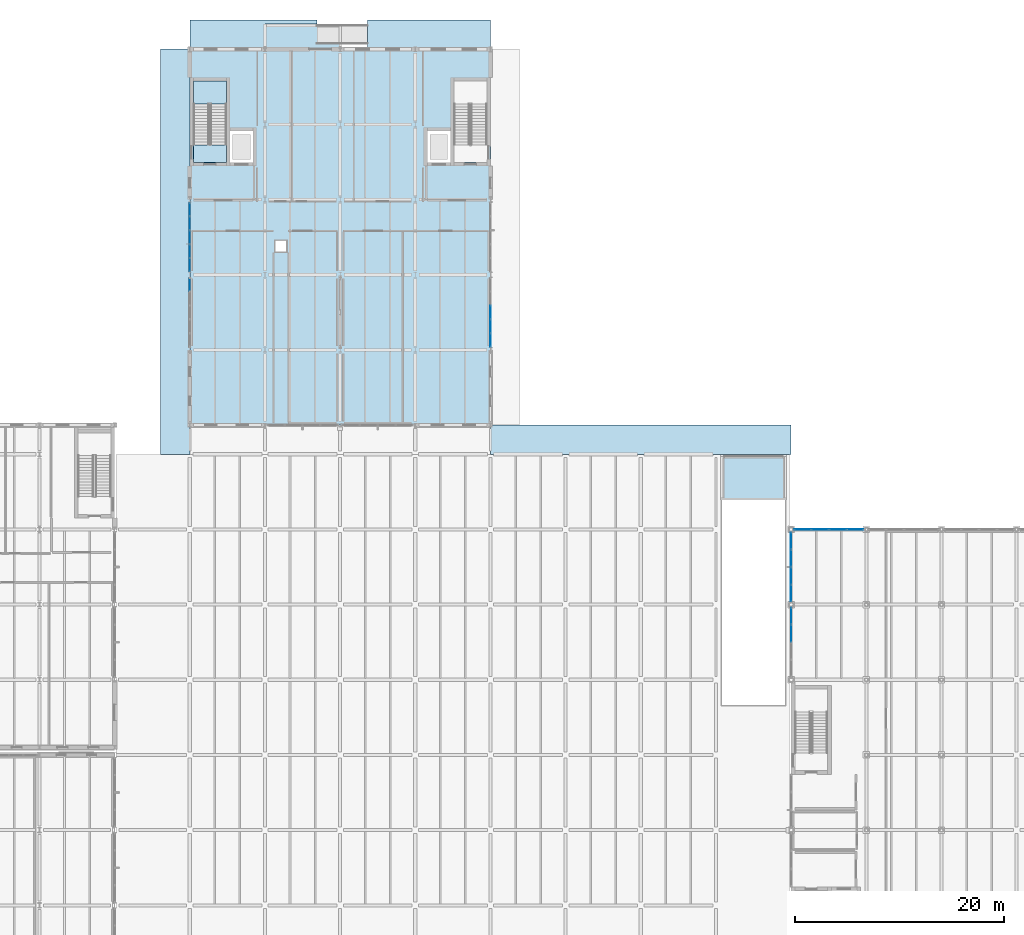
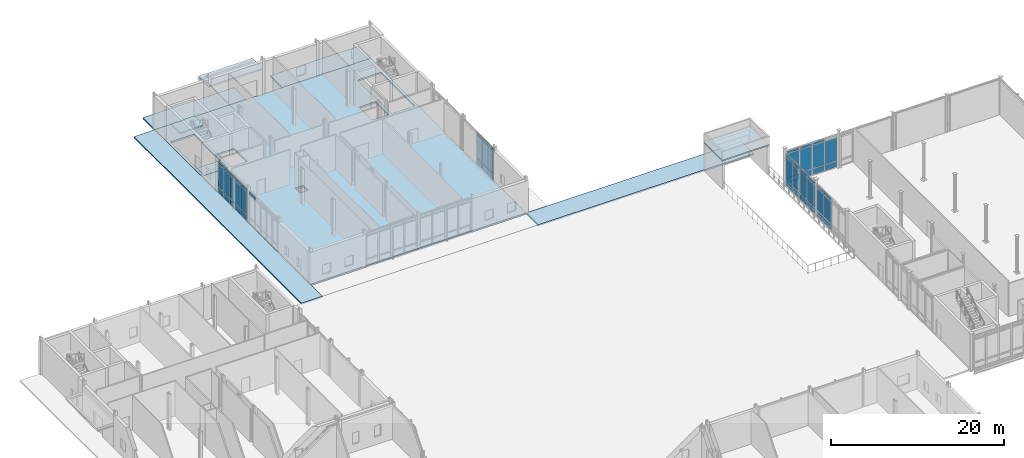
# One storey, part 46 of 89: 54 plates, 9 slabs, 7 elements without a shape of their own.
"""IFC4 building model written with IfcOpenShell, lengths in metres."""

from ifc_helpers import new_model, si_unit, direction, frame, origin, origin_2d, place, context, subcontext, project, spatial, polyline, rectangle, outline, extrude, material, layer, layer_set, type_object, element, aggregate, save


model = new_model("IFC4")

# Units and contexts
model_context = context("Model", 3, precision=1e-05, world=origin(), true_north=direction((0.0, 1.0)))
body_context = subcontext(model_context, "Body", "Model", "MODEL_VIEW")
ifc_project = project(units=[si_unit("LENGTHUNIT", "METRE"), si_unit("AREAUNIT", "SQUARE_METRE"), si_unit("VOLUMEUNIT", "CUBIC_METRE"), si_unit("PLANEANGLEUNIT", "RADIAN"), si_unit("MASSUNIT", "GRAM", prefix="KILO")], contexts=[model_context])

# Site, building, storey
site_placement = place(None, origin())
site = spatial("IfcSite", under=ifc_project, at=site_placement, CompositionType="ELEMENT")
building_placement = place(site_placement, origin())
building = spatial("IfcBuilding", under=site, at=building_placement, Name="Zarrinpeak Specialist Clinic", CompositionType="ELEMENT")
storey_placement = place(building_placement, origin())
storey = spatial("IfcBuildingStorey", under=building, at=storey_placement, Name="L00", CompositionType="ELEMENT", Elevation=0.0)

# Slab
ifc_material_1 = material(Name="Steel S355", Category="steel")
ifc_layer_1 = layer(ifc_material_1, 0.199951171875)
ifc_layer_set_1 = layer_set([ifc_layer_1], Name="Steel S355")
slab_type_1 = type_object("IfcSlabType", Name="CAN-ENT", PredefinedType="ROOF", material=ifc_layer_set_1)
slab_1_placement = place(storey_placement, frame((0.0, 0.0, 3.39990234375)))
element("IfcSlab", 1, at=slab_1_placement, inside=storey, type_object=slab_type_1, Name="V6 North Boulevard Entrance Canopy", PredefinedType="ROOF", context=body_context, shape_type="SweptSolid", body=[
    extrude(outline(polyline([(43.199951171875, 118.0), (50.39990234375, 118.0), (50.39990234375, 120.39990234375), (43.199951171875, 120.39990234375), (43.199951171875, 118.0)])), origin(), (0.0, 0.0, 1.0), 0.2001953125),
])

# Curtain wall, plates
ifc_material_2 = material(Name="Anodised Aluminium Alloy 6063-T6", Category="aluminium")
ifc_layer_2 = layer(ifc_material_2, 0.199951171875)
ifc_layer_set_2 = layer_set([ifc_layer_2], Name="Anodised Aluminium Alloy 6063-T6")
curtain_wall_type_1 = type_object("IfcCurtainWallType", Name="CW-HALL", PredefinedType="NOTDEFINED", material=ifc_layer_set_2)
curtain_wall_1_placement = place(storey_placement, origin())
curtain_wall_1 = element("IfcCurtainWall", 2, at=curtain_wall_1_placement, inside=storey, type_object=curtain_wall_type_1, Name="L00 V3 Unitised Curtain Wall CW-L00-V3-083", PredefinedType="NOTDEFINED")
ifc_material_3 = material(Name="Double Low-E Insulated Glazing", Category="glass")
ifc_layer_3 = layer(ifc_material_3, 0.028076171875)
ifc_layer_set_3 = layer_set([ifc_layer_3], Name="Double Low-E Insulated Glazing")
plate_type_1 = type_object("IfcPlateType", Name="CWP-GLZ28", PredefinedType="CURTAIN_PANEL", material=ifc_layer_set_3)
plate_1_placement = place(storey_placement, frame((99.742431640625, 72.0, 0.08984375), z_axis=(0.0, 0.0, 1.0), x_axis=(-1.0, 0.0, 0.0)))
plate_1 = element("IfcPlate", 3, at=plate_1_placement, type_object=plate_type_1, Name="CW-02 panel 1.1", PredefinedType="CURTAIN_PANEL", context=body_context, shape_type="SweptSolid", body=[
    extrude(rectangle(XDim=1.561279296875, YDim=0.028076171875, at=origin_2d()), origin(), (0.0, 0.0, 1.0), 0.764892578125),
])
plate_2_placement = place(storey_placement, frame((99.742431640625, 72.0, 0.945068359375), z_axis=(0.0, 0.0, 1.0), x_axis=(-1.0, 0.0, 0.0)))
plate_2 = element("IfcPlate", 4, at=plate_2_placement, type_object=plate_type_1, Name="CW-02 panel 1.2", PredefinedType="CURTAIN_PANEL", context=body_context, shape_type="SweptSolid", body=[
    extrude(rectangle(XDim=1.561279296875, YDim=0.028076171875, at=origin_2d()), origin(), (0.0, 0.0, 1.0), 3.22509765625),
])
plate_3_placement = place(storey_placement, frame((98.06884765625, 72.0, 0.08984375), z_axis=(0.0, 0.0, 1.0), x_axis=(-1.0, 0.0, 0.0)))
plate_3 = element("IfcPlate", 5, at=plate_3_placement, type_object=plate_type_1, Name="CW-02 panel 2.1", PredefinedType="CURTAIN_PANEL", context=body_context, shape_type="SweptSolid", body=[
    extrude(rectangle(XDim=1.606201171875, YDim=0.028076171875, at=origin_2d()), origin(), (0.0, 0.0, 1.0), 0.764892578125),
])
plate_4_placement = place(storey_placement, frame((98.06884765625, 72.0, 0.945068359375), z_axis=(0.0, 0.0, 1.0), x_axis=(-1.0, 0.0, 0.0)))
plate_4 = element("IfcPlate", 6, at=plate_4_placement, type_object=plate_type_1, Name="CW-02 panel 2.2", PredefinedType="CURTAIN_PANEL", context=body_context, shape_type="SweptSolid", body=[
    extrude(rectangle(XDim=1.606201171875, YDim=0.028076171875, at=origin_2d()), origin(), (0.0, 0.0, 1.0), 3.22509765625),
])
plate_5_placement = place(storey_placement, frame((98.06884765625, 72.0, 4.260009765625), z_axis=(0.0, 0.0, 1.0), x_axis=(-1.0, 0.0, 0.0)))
plate_5 = element("IfcPlate", 7, at=plate_5_placement, type_object=plate_type_1, Name="CW-02 panel 2.3", PredefinedType="CURTAIN_PANEL", context=body_context, shape_type="SweptSolid", body=[
    extrude(rectangle(XDim=1.606201171875, YDim=0.028076171875, at=origin_2d()), origin(), (0.0, 0.0, 1.0), 0.31494140625),
])
plate_6_placement = place(storey_placement, frame((96.37255859375, 72.0, 0.08984375), z_axis=(0.0, 0.0, 1.0), x_axis=(-1.0, 0.0, 0.0)))
plate_6 = element("IfcPlate", 8, at=plate_6_placement, type_object=plate_type_1, Name="CW-02 panel 3.1", PredefinedType="CURTAIN_PANEL", context=body_context, shape_type="SweptSolid", body=[
    extrude(rectangle(XDim=1.606201171875, YDim=0.028076171875, at=origin_2d()), origin(), (0.0, 0.0, 1.0), 0.764892578125),
])
plate_7_placement = place(storey_placement, frame((96.37255859375, 72.0, 0.945068359375), z_axis=(0.0, 0.0, 1.0), x_axis=(-1.0, 0.0, 0.0)))
plate_7 = element("IfcPlate", 9, at=plate_7_placement, type_object=plate_type_1, Name="CW-02 panel 3.2", PredefinedType="CURTAIN_PANEL", context=body_context, shape_type="SweptSolid", body=[
    extrude(rectangle(XDim=1.606201171875, YDim=0.028076171875, at=origin_2d()), origin(), (0.0, 0.0, 1.0), 3.22509765625),
])
plate_8_placement = place(storey_placement, frame((96.37255859375, 72.0, 4.260009765625), z_axis=(0.0, 0.0, 1.0), x_axis=(-1.0, 0.0, 0.0)))
plate_8 = element("IfcPlate", 10, at=plate_8_placement, type_object=plate_type_1, Name="CW-02 panel 3.3", PredefinedType="CURTAIN_PANEL", context=body_context, shape_type="SweptSolid", body=[
    extrude(rectangle(XDim=1.606201171875, YDim=0.028076171875, at=origin_2d()), origin(), (0.0, 0.0, 1.0), 0.31494140625),
])
plate_9_placement = place(storey_placement, frame((94.69873046875, 72.0, 0.08984375), z_axis=(0.0, 0.0, 1.0), x_axis=(-1.0, 0.0, 0.0)))
plate_9 = element("IfcPlate", 11, at=plate_9_placement, type_object=plate_type_1, Name="CW-02 panel 4.1", PredefinedType="CURTAIN_PANEL", context=body_context, shape_type="SweptSolid", body=[
    extrude(rectangle(XDim=1.561279296875, YDim=0.028076171875, at=origin_2d()), origin(), (0.0, 0.0, 1.0), 0.764892578125),
])
plate_10_placement = place(storey_placement, frame((94.69873046875, 72.0, 0.945068359375), z_axis=(0.0, 0.0, 1.0), x_axis=(-1.0, 0.0, 0.0)))
plate_10 = element("IfcPlate", 12, at=plate_10_placement, type_object=plate_type_1, Name="CW-02 panel 4.2", PredefinedType="CURTAIN_PANEL", context=body_context, shape_type="SweptSolid", body=[
    extrude(rectangle(XDim=1.561279296875, YDim=0.028076171875, at=origin_2d()), origin(), (0.0, 0.0, 1.0), 3.22509765625),
])
plate_11_placement = place(storey_placement, frame((94.69873046875, 72.0, 4.260009765625), z_axis=(0.0, 0.0, 1.0), x_axis=(-1.0, 0.0, 0.0)))
plate_11 = element("IfcPlate", 13, at=plate_11_placement, type_object=plate_type_1, Name="CW-02 panel 4.3", PredefinedType="CURTAIN_PANEL", context=body_context, shape_type="SweptSolid", body=[
    extrude(rectangle(XDim=1.561279296875, YDim=0.028076171875, at=origin_2d()), origin(), (0.0, 0.0, 1.0), 0.31494140625),
])
aggregate(curtain_wall_1, [plate_1, plate_2, plate_3, plate_4, plate_5, plate_6, plate_7, plate_8, plate_9, plate_10, plate_11])

curtain_wall_2_placement = place(storey_placement, origin())
curtain_wall_2 = element("IfcCurtainWall", 14, at=curtain_wall_2_placement, inside=storey, type_object=curtain_wall_type_1, Name="L00 V3 Unitised Curtain Wall CW-L00-V3-089", PredefinedType="NOTDEFINED")
plate_12_placement = place(storey_placement, frame((93.60009765625, 63.706298828125, 0.08984375), z_axis=(0.0, 0.0, 1.0), x_axis=(0.0, -1.0, 0.0)))
plate_12 = element("IfcPlate", 15, at=plate_12_placement, type_object=plate_type_1, Name="CW-02 panel 1.1", PredefinedType="CURTAIN_PANEL", context=body_context, shape_type="SweptSolid", body=[
    extrude(rectangle(XDim=1.55078125, YDim=0.028076171875, at=origin_2d()), origin(), (0.0, 0.0, 1.0), 0.764892578125),
])
plate_13_placement = place(storey_placement, frame((93.60009765625, 63.706298828125, 0.94482421875), z_axis=(0.0, 0.0, 1.0), x_axis=(0.0, -1.0, 0.0)))
plate_13 = element("IfcPlate", 16, at=plate_13_placement, type_object=plate_type_1, Name="CW-02 panel 1.2", PredefinedType="CURTAIN_PANEL", context=body_context, shape_type="SweptSolid", body=[
    extrude(rectangle(XDim=1.55078125, YDim=0.028076171875, at=origin_2d()), origin(), (0.0, 0.0, 1.0), 3.155029296875),
])
plate_14_placement = place(storey_placement, frame((93.60009765625, 63.706298828125, 4.18994140625), z_axis=(0.0, 0.0, 1.0), x_axis=(0.0, -1.0, 0.0)))
plate_14 = element("IfcPlate", 17, at=plate_14_placement, type_object=plate_type_1, Name="CW-02 panel 1.3", PredefinedType="CURTAIN_PANEL", context=body_context, shape_type="SweptSolid", body=[
    extrude(rectangle(XDim=1.55078125, YDim=0.028076171875, at=origin_2d()), origin(), (0.0, 0.0, 1.0), 0.31494140625),
])
plate_15_placement = place(storey_placement, frame((93.60009765625, 62.04296875, 0.08984375), z_axis=(0.0, 0.0, 1.0), x_axis=(0.0, -1.0, 0.0)))
plate_15 = element("IfcPlate", 18, at=plate_15_placement, type_object=plate_type_1, Name="CW-02 panel 2.1", PredefinedType="CURTAIN_PANEL", context=body_context, shape_type="SweptSolid", body=[
    extrude(rectangle(XDim=1.595947265625, YDim=0.028076171875, at=origin_2d()), origin(), (0.0, 0.0, 1.0), 0.764892578125),
])
plate_16_placement = place(storey_placement, frame((93.60009765625, 62.04296875, 0.94482421875), z_axis=(0.0, 0.0, 1.0), x_axis=(0.0, -1.0, 0.0)))
plate_16 = element("IfcPlate", 19, at=plate_16_placement, type_object=plate_type_1, Name="CW-02 panel 2.2", PredefinedType="CURTAIN_PANEL", context=body_context, shape_type="SweptSolid", body=[
    extrude(rectangle(XDim=1.595947265625, YDim=0.028076171875, at=origin_2d()), origin(), (0.0, 0.0, 1.0), 3.155029296875),
])
plate_17_placement = place(storey_placement, frame((93.60009765625, 62.04296875, 4.18994140625), z_axis=(0.0, 0.0, 1.0), x_axis=(0.0, -1.0, 0.0)))
plate_17 = element("IfcPlate", 20, at=plate_17_placement, type_object=plate_type_1, Name="CW-02 panel 2.3", PredefinedType="CURTAIN_PANEL", context=body_context, shape_type="SweptSolid", body=[
    extrude(rectangle(XDim=1.595947265625, YDim=0.028076171875, at=origin_2d()), origin(), (0.0, 0.0, 1.0), 0.31494140625),
])
aggregate(curtain_wall_2, [plate_12, plate_13, plate_14, plate_15, plate_16, plate_17])

# Curtain wall, plate
ifc_layer_4 = layer(ifc_material_2, 0.1650390625)
ifc_layer_set_4 = layer_set([ifc_layer_4], Name="Anodised Aluminium Alloy 6063-T6")
curtain_wall_type_2 = type_object("IfcCurtainWallType", Name="CW-CLINIC", PredefinedType="NOTDEFINED", material=ifc_layer_set_4)
curtain_wall_3_placement = place(storey_placement, origin())
curtain_wall_3 = element("IfcCurtainWall", 21, at=curtain_wall_3_placement, inside=storey, type_object=curtain_wall_type_2, Name="L00 V6 Unitised Curtain Wall CW-L00-V6-131", PredefinedType="NOTDEFINED")
plate_18_placement = place(storey_placement, frame((36.0, 95.438720703125, 4.1826171875), z_axis=(0.0, 0.0, 1.0), x_axis=(0.0, -1.0, 0.0)))
plate_18 = element("IfcPlate", 22, at=plate_18_placement, type_object=plate_type_1, Name="CW-03 panel 1.3", PredefinedType="CURTAIN_PANEL", context=body_context, shape_type="SweptSolid", body=[
    extrude(rectangle(XDim=1.222412109375, YDim=0.028076171875, at=origin_2d()), origin(), (0.0, 0.0, 1.0), 0.33740234375),
])
aggregate(curtain_wall_3, [plate_18])

# Curtain wall, plates
curtain_wall_4_placement = place(storey_placement, origin())
curtain_wall_4 = element("IfcCurtainWall", 23, at=curtain_wall_4_placement, inside=storey, type_object=curtain_wall_type_2, Name="L00 V6 Unitised Curtain Wall CW-L00-V6-132", PredefinedType="NOTDEFINED")
plate_19_placement = place(storey_placement, frame((36.0, 102.641357421875, 0.074951171875), z_axis=(0.0, 0.0, 1.0), x_axis=(0.0, -1.0, 0.0)))
plate_19 = element("IfcPlate", 24, at=plate_19_placement, type_object=plate_type_1, Name="CW-03 panel 1.1", PredefinedType="CURTAIN_PANEL", context=body_context, shape_type="SweptSolid", body=[
    extrude(rectangle(XDim=1.217529296875, YDim=0.028076171875, at=origin_2d()), origin(), (0.0, 0.0, 1.0), 0.78759765625),
])
plate_20_placement = place(storey_placement, frame((36.0, 102.641357421875, 0.9375), z_axis=(0.0, 0.0, 1.0), x_axis=(0.0, -1.0, 0.0)))
plate_20 = element("IfcPlate", 25, at=plate_20_placement, type_object=plate_type_1, Name="CW-03 panel 1.2", PredefinedType="CURTAIN_PANEL", context=body_context, shape_type="SweptSolid", body=[
    extrude(rectangle(XDim=1.217529296875, YDim=0.028076171875, at=origin_2d()), origin(), (0.0, 0.0, 1.0), 3.169921875),
])
plate_21_placement = place(storey_placement, frame((36.0, 102.641357421875, 4.1826171875), z_axis=(0.0, 0.0, 1.0), x_axis=(0.0, -1.0, 0.0)))
plate_21 = element("IfcPlate", 26, at=plate_21_placement, type_object=plate_type_1, Name="CW-03 panel 1.3", PredefinedType="CURTAIN_PANEL", context=body_context, shape_type="SweptSolid", body=[
    extrude(rectangle(XDim=1.217529296875, YDim=0.028076171875, at=origin_2d()), origin(), (0.0, 0.0, 1.0), 0.33740234375),
])
plate_22_placement = place(storey_placement, frame((36.0, 101.330078125, 0.074951171875), z_axis=(0.0, 0.0, 1.0), x_axis=(0.0, -1.0, 0.0)))
plate_22 = element("IfcPlate", 27, at=plate_22_placement, type_object=plate_type_1, Name="CW-03 panel 2.1", PredefinedType="CURTAIN_PANEL", context=body_context, shape_type="SweptSolid", body=[
    extrude(rectangle(XDim=1.2548828125, YDim=0.028076171875, at=origin_2d()), origin(), (0.0, 0.0, 1.0), 0.78759765625),
])
plate_23_placement = place(storey_placement, frame((36.0, 101.330078125, 0.9375), z_axis=(0.0, 0.0, 1.0), x_axis=(0.0, -1.0, 0.0)))
plate_23 = element("IfcPlate", 28, at=plate_23_placement, type_object=plate_type_1, Name="CW-03 panel 2.2", PredefinedType="CURTAIN_PANEL", context=body_context, shape_type="SweptSolid", body=[
    extrude(rectangle(XDim=1.2548828125, YDim=0.028076171875, at=origin_2d()), origin(), (0.0, 0.0, 1.0), 3.169921875),
])
plate_24_placement = place(storey_placement, frame((36.0, 101.330078125, 4.1826171875), z_axis=(0.0, 0.0, 1.0), x_axis=(0.0, -1.0, 0.0)))
plate_24 = element("IfcPlate", 29, at=plate_24_placement, type_object=plate_type_1, Name="CW-03 panel 2.3", PredefinedType="CURTAIN_PANEL", context=body_context, shape_type="SweptSolid", body=[
    extrude(rectangle(XDim=1.2548828125, YDim=0.028076171875, at=origin_2d()), origin(), (0.0, 0.0, 1.0), 0.33740234375),
])
plate_25_placement = place(storey_placement, frame((36.0, 100.0, 0.074951171875), z_axis=(0.0, 0.0, 1.0), x_axis=(0.0, -1.0, 0.0)))
plate_25 = element("IfcPlate", 30, at=plate_25_placement, type_object=plate_type_1, Name="CW-03 panel 3.1", PredefinedType="CURTAIN_PANEL", context=body_context, shape_type="SweptSolid", body=[
    extrude(rectangle(XDim=1.2548828125, YDim=0.028076171875, at=origin_2d()), origin(), (0.0, 0.0, 1.0), 0.78759765625),
])
plate_26_placement = place(storey_placement, frame((36.0, 100.0, 0.9375), z_axis=(0.0, 0.0, 1.0), x_axis=(0.0, -1.0, 0.0)))
plate_26 = element("IfcPlate", 31, at=plate_26_placement, type_object=plate_type_1, Name="CW-03 panel 3.2", PredefinedType="CURTAIN_PANEL", context=body_context, shape_type="SweptSolid", body=[
    extrude(rectangle(XDim=1.2548828125, YDim=0.028076171875, at=origin_2d()), origin(), (0.0, 0.0, 1.0), 3.169921875),
])
plate_27_placement = place(storey_placement, frame((36.0, 100.0, 4.1826171875), z_axis=(0.0, 0.0, 1.0), x_axis=(0.0, -1.0, 0.0)))
plate_27 = element("IfcPlate", 32, at=plate_27_placement, type_object=plate_type_1, Name="CW-03 panel 3.3", PredefinedType="CURTAIN_PANEL", context=body_context, shape_type="SweptSolid", body=[
    extrude(rectangle(XDim=1.2548828125, YDim=0.028076171875, at=origin_2d()), origin(), (0.0, 0.0, 1.0), 0.33740234375),
])
plate_28_placement = place(storey_placement, frame((36.0, 98.669921875, 0.074951171875), z_axis=(0.0, 0.0, 1.0), x_axis=(0.0, -1.0, 0.0)))
plate_28 = element("IfcPlate", 33, at=plate_28_placement, type_object=plate_type_1, Name="CW-03 panel 4.1", PredefinedType="CURTAIN_PANEL", context=body_context, shape_type="SweptSolid", body=[
    extrude(rectangle(XDim=1.2548828125, YDim=0.028076171875, at=origin_2d()), origin(), (0.0, 0.0, 1.0), 0.78759765625),
])
plate_29_placement = place(storey_placement, frame((36.0, 98.669921875, 0.9375), z_axis=(0.0, 0.0, 1.0), x_axis=(0.0, -1.0, 0.0)))
plate_29 = element("IfcPlate", 34, at=plate_29_placement, type_object=plate_type_1, Name="CW-03 panel 4.2", PredefinedType="CURTAIN_PANEL", context=body_context, shape_type="SweptSolid", body=[
    extrude(rectangle(XDim=1.2548828125, YDim=0.028076171875, at=origin_2d()), origin(), (0.0, 0.0, 1.0), 3.169921875),
])
plate_30_placement = place(storey_placement, frame((36.0, 98.669921875, 4.1826171875), z_axis=(0.0, 0.0, 1.0), x_axis=(0.0, -1.0, 0.0)))
plate_30 = element("IfcPlate", 35, at=plate_30_placement, type_object=plate_type_1, Name="CW-03 panel 4.3", PredefinedType="CURTAIN_PANEL", context=body_context, shape_type="SweptSolid", body=[
    extrude(rectangle(XDim=1.2548828125, YDim=0.028076171875, at=origin_2d()), origin(), (0.0, 0.0, 1.0), 0.33740234375),
])
plate_31_placement = place(storey_placement, frame((36.0, 97.358642578125, 0.074951171875), z_axis=(0.0, 0.0, 1.0), x_axis=(0.0, -1.0, 0.0)))
plate_31 = element("IfcPlate", 36, at=plate_31_placement, type_object=plate_type_1, Name="CW-03 panel 5.1", PredefinedType="CURTAIN_PANEL", context=body_context, shape_type="SweptSolid", body=[
    extrude(rectangle(XDim=1.217529296875, YDim=0.028076171875, at=origin_2d()), origin(), (0.0, 0.0, 1.0), 0.78759765625),
])
plate_32_placement = place(storey_placement, frame((36.0, 97.358642578125, 0.9375), z_axis=(0.0, 0.0, 1.0), x_axis=(0.0, -1.0, 0.0)))
plate_32 = element("IfcPlate", 37, at=plate_32_placement, type_object=plate_type_1, Name="CW-03 panel 5.2", PredefinedType="CURTAIN_PANEL", context=body_context, shape_type="SweptSolid", body=[
    extrude(rectangle(XDim=1.217529296875, YDim=0.028076171875, at=origin_2d()), origin(), (0.0, 0.0, 1.0), 3.169921875),
])
plate_33_placement = place(storey_placement, frame((36.0, 97.358642578125, 4.1826171875), z_axis=(0.0, 0.0, 1.0), x_axis=(0.0, -1.0, 0.0)))
plate_33 = element("IfcPlate", 38, at=plate_33_placement, type_object=plate_type_1, Name="CW-03 panel 5.3", PredefinedType="CURTAIN_PANEL", context=body_context, shape_type="SweptSolid", body=[
    extrude(rectangle(XDim=1.217529296875, YDim=0.028076171875, at=origin_2d()), origin(), (0.0, 0.0, 1.0), 0.33740234375),
])
aggregate(curtain_wall_4, [plate_19, plate_20, plate_21, plate_22, plate_23, plate_24, plate_25, plate_26, plate_27, plate_28, plate_29, plate_30, plate_31, plate_32, plate_33])

curtain_wall_5_placement = place(storey_placement, origin())
curtain_wall_5 = element("IfcCurtainWall", 39, at=curtain_wall_5_placement, inside=storey, type_object=curtain_wall_type_2, Name="L00 V6 Unitised Curtain Wall CW-L00-V6-133", PredefinedType="NOTDEFINED")
plate_34_placement = place(storey_placement, frame((64.800048828125, 90.13623046875, 0.074951171875), z_axis=(0.0, 0.0, 1.0), x_axis=(0.0, 1.0, 0.0)))
plate_34 = element("IfcPlate", 40, at=plate_34_placement, type_object=plate_type_1, Name="CW-03 panel 1.1", PredefinedType="CURTAIN_PANEL", context=body_context, shape_type="SweptSolid", body=[
    extrude(rectangle(XDim=1.222412109375, YDim=0.028076171875, at=origin_2d()), origin(), (0.0, 0.0, 1.0), 0.78759765625),
])
plate_35_placement = place(storey_placement, frame((64.800048828125, 90.13623046875, 0.9375), z_axis=(0.0, 0.0, 1.0), x_axis=(0.0, 1.0, 0.0)))
plate_35 = element("IfcPlate", 41, at=plate_35_placement, type_object=plate_type_1, Name="CW-03 panel 1.2", PredefinedType="CURTAIN_PANEL", context=body_context, shape_type="SweptSolid", body=[
    extrude(rectangle(XDim=1.222412109375, YDim=0.028076171875, at=origin_2d()), origin(), (0.0, 0.0, 1.0), 3.169921875),
])
plate_36_placement = place(storey_placement, frame((64.800048828125, 90.13623046875, 4.1826171875), z_axis=(0.0, 0.0, 1.0), x_axis=(0.0, 1.0, 0.0)))
plate_36 = element("IfcPlate", 42, at=plate_36_placement, type_object=plate_type_1, Name="CW-03 panel 1.3", PredefinedType="CURTAIN_PANEL", context=body_context, shape_type="SweptSolid", body=[
    extrude(rectangle(XDim=1.222412109375, YDim=0.028076171875, at=origin_2d()), origin(), (0.0, 0.0, 1.0), 0.33740234375),
])
plate_37_placement = place(storey_placement, frame((64.800048828125, 91.452392578125, 0.074951171875), z_axis=(0.0, 0.0, 1.0), x_axis=(0.0, 1.0, 0.0)))
plate_37 = element("IfcPlate", 43, at=plate_37_placement, type_object=plate_type_1, Name="CW-03 panel 2.1", PredefinedType="CURTAIN_PANEL", context=body_context, shape_type="SweptSolid", body=[
    extrude(rectangle(XDim=1.260009765625, YDim=0.028076171875, at=origin_2d()), origin(), (0.0, 0.0, 1.0), 0.78759765625),
])
plate_38_placement = place(storey_placement, frame((64.800048828125, 91.452392578125, 0.9375), z_axis=(0.0, 0.0, 1.0), x_axis=(0.0, 1.0, 0.0)))
plate_38 = element("IfcPlate", 44, at=plate_38_placement, type_object=plate_type_1, Name="CW-03 panel 2.2", PredefinedType="CURTAIN_PANEL", context=body_context, shape_type="SweptSolid", body=[
    extrude(rectangle(XDim=1.260009765625, YDim=0.028076171875, at=origin_2d()), origin(), (0.0, 0.0, 1.0), 3.169921875),
])
plate_39_placement = place(storey_placement, frame((64.800048828125, 91.452392578125, 4.1826171875), z_axis=(0.0, 0.0, 1.0), x_axis=(0.0, 1.0, 0.0)))
plate_39 = element("IfcPlate", 45, at=plate_39_placement, type_object=plate_type_1, Name="CW-03 panel 2.3", PredefinedType="CURTAIN_PANEL", context=body_context, shape_type="SweptSolid", body=[
    extrude(rectangle(XDim=1.260009765625, YDim=0.028076171875, at=origin_2d()), origin(), (0.0, 0.0, 1.0), 0.33740234375),
])
plate_40_placement = place(storey_placement, frame((64.800048828125, 92.78759765625, 0.074951171875), z_axis=(0.0, 0.0, 1.0), x_axis=(0.0, 1.0, 0.0)))
plate_40 = element("IfcPlate", 46, at=plate_40_placement, type_object=plate_type_1, Name="CW-03 panel 3.1", PredefinedType="CURTAIN_PANEL", context=body_context, shape_type="SweptSolid", body=[
    extrude(rectangle(XDim=1.260009765625, YDim=0.028076171875, at=origin_2d()), origin(), (0.0, 0.0, 1.0), 0.78759765625),
])
plate_41_placement = place(storey_placement, frame((64.800048828125, 92.78759765625, 0.9375), z_axis=(0.0, 0.0, 1.0), x_axis=(0.0, 1.0, 0.0)))
plate_41 = element("IfcPlate", 47, at=plate_41_placement, type_object=plate_type_1, Name="CW-03 panel 3.2", PredefinedType="CURTAIN_PANEL", context=body_context, shape_type="SweptSolid", body=[
    extrude(rectangle(XDim=1.260009765625, YDim=0.028076171875, at=origin_2d()), origin(), (0.0, 0.0, 1.0), 3.169921875),
])
plate_42_placement = place(storey_placement, frame((64.800048828125, 92.78759765625, 4.1826171875), z_axis=(0.0, 0.0, 1.0), x_axis=(0.0, 1.0, 0.0)))
plate_42 = element("IfcPlate", 48, at=plate_42_placement, type_object=plate_type_1, Name="CW-03 panel 3.3", PredefinedType="CURTAIN_PANEL", context=body_context, shape_type="SweptSolid", body=[
    extrude(rectangle(XDim=1.260009765625, YDim=0.028076171875, at=origin_2d()), origin(), (0.0, 0.0, 1.0), 0.33740234375),
])
aggregate(curtain_wall_5, [plate_34, plate_35, plate_36, plate_37, plate_38, plate_39, plate_40, plate_41, plate_42])

curtain_wall_6_placement = place(storey_placement, origin())
curtain_wall_6 = element("IfcCurtainWall", 49, at=curtain_wall_6_placement, inside=storey, type_object=curtain_wall_type_1, Name="L00 V3 Unitised Curtain Wall CW-L00-V3-090", PredefinedType="NOTDEFINED")
ifc_material_4 = material(Name="Insulated Aluminium Spandrel Panel", Category="aluminium")
ifc_layer_5 = layer(ifc_material_4, 0.044921875)
ifc_layer_set_5 = layer_set([ifc_layer_5], Name="Insulated Aluminium Spandrel Panel")
plate_type_2 = type_object("IfcPlateType", Name="CWP-SPN45", PredefinedType="CURTAIN_PANEL", material=ifc_layer_set_5)
plate_43_placement = place(storey_placement, frame((93.60009765625, 70.90625, 0.08984375), z_axis=(0.0, 0.0, 1.0), x_axis=(0.0, -1.0, 0.0)))
plate_43 = element("IfcPlate", 50, at=plate_43_placement, type_object=plate_type_2, Name="CW-02 panel 1.1", PredefinedType="CURTAIN_PANEL", context=body_context, shape_type="SweptSolid", body=[
    extrude(rectangle(XDim=1.55078125, YDim=0.044921875, at=origin_2d()), origin(), (0.0, 0.0, 1.0), 0.764892578125),
])
plate_44_placement = place(storey_placement, frame((93.60009765625, 70.90625, 0.94482421875), z_axis=(0.0, 0.0, 1.0), x_axis=(0.0, -1.0, 0.0)))
plate_44 = element("IfcPlate", 51, at=plate_44_placement, type_object=plate_type_2, Name="CW-02 panel 1.2", PredefinedType="CURTAIN_PANEL", context=body_context, shape_type="SweptSolid", body=[
    extrude(rectangle(XDim=1.55078125, YDim=0.044921875, at=origin_2d()), origin(), (0.0, 0.0, 1.0), 3.155029296875),
])
plate_45_placement = place(storey_placement, frame((93.60009765625, 70.90625, 4.18994140625), z_axis=(0.0, 0.0, 1.0), x_axis=(0.0, -1.0, 0.0)))
plate_45 = element("IfcPlate", 52, at=plate_45_placement, type_object=plate_type_2, Name="CW-02 panel 1.3", PredefinedType="CURTAIN_PANEL", context=body_context, shape_type="SweptSolid", body=[
    extrude(rectangle(XDim=1.55078125, YDim=0.044921875, at=origin_2d()), origin(), (0.0, 0.0, 1.0), 0.31494140625),
])
plate_46_placement = place(storey_placement, frame((93.60009765625, 69.242919921875, 0.08984375), z_axis=(0.0, 0.0, 1.0), x_axis=(0.0, -1.0, 0.0)))
plate_46 = element("IfcPlate", 53, at=plate_46_placement, type_object=plate_type_2, Name="CW-02 panel 2.1", PredefinedType="CURTAIN_PANEL", context=body_context, shape_type="SweptSolid", body=[
    extrude(rectangle(XDim=1.595947265625, YDim=0.044921875, at=origin_2d()), origin(), (0.0, 0.0, 1.0), 0.764892578125),
])
plate_47_placement = place(storey_placement, frame((93.60009765625, 69.242919921875, 0.94482421875), z_axis=(0.0, 0.0, 1.0), x_axis=(0.0, -1.0, 0.0)))
plate_47 = element("IfcPlate", 54, at=plate_47_placement, type_object=plate_type_2, Name="CW-02 panel 2.2", PredefinedType="CURTAIN_PANEL", context=body_context, shape_type="SweptSolid", body=[
    extrude(rectangle(XDim=1.595947265625, YDim=0.044921875, at=origin_2d()), origin(), (0.0, 0.0, 1.0), 3.155029296875),
])
plate_48_placement = place(storey_placement, frame((93.60009765625, 69.242919921875, 4.18994140625), z_axis=(0.0, 0.0, 1.0), x_axis=(0.0, -1.0, 0.0)))
plate_48 = element("IfcPlate", 55, at=plate_48_placement, type_object=plate_type_2, Name="CW-02 panel 2.3", PredefinedType="CURTAIN_PANEL", context=body_context, shape_type="SweptSolid", body=[
    extrude(rectangle(XDim=1.595947265625, YDim=0.044921875, at=origin_2d()), origin(), (0.0, 0.0, 1.0), 0.31494140625),
])
plate_49_placement = place(storey_placement, frame((93.60009765625, 67.55712890625, 0.08984375), z_axis=(0.0, 0.0, 1.0), x_axis=(0.0, -1.0, 0.0)))
plate_49 = element("IfcPlate", 56, at=plate_49_placement, type_object=plate_type_2, Name="CW-02 panel 3.1", PredefinedType="CURTAIN_PANEL", context=body_context, shape_type="SweptSolid", body=[
    extrude(rectangle(XDim=1.595947265625, YDim=0.044921875, at=origin_2d()), origin(), (0.0, 0.0, 1.0), 0.764892578125),
])
plate_50_placement = place(storey_placement, frame((93.60009765625, 67.55712890625, 0.94482421875), z_axis=(0.0, 0.0, 1.0), x_axis=(0.0, -1.0, 0.0)))
plate_50 = element("IfcPlate", 57, at=plate_50_placement, type_object=plate_type_2, Name="CW-02 panel 3.2", PredefinedType="CURTAIN_PANEL", context=body_context, shape_type="SweptSolid", body=[
    extrude(rectangle(XDim=1.595947265625, YDim=0.044921875, at=origin_2d()), origin(), (0.0, 0.0, 1.0), 3.155029296875),
])
plate_51_placement = place(storey_placement, frame((93.60009765625, 67.55712890625, 4.18994140625), z_axis=(0.0, 0.0, 1.0), x_axis=(0.0, -1.0, 0.0)))
plate_51 = element("IfcPlate", 58, at=plate_51_placement, type_object=plate_type_2, Name="CW-02 panel 3.3", PredefinedType="CURTAIN_PANEL", context=body_context, shape_type="SweptSolid", body=[
    extrude(rectangle(XDim=1.595947265625, YDim=0.044921875, at=origin_2d()), origin(), (0.0, 0.0, 1.0), 0.31494140625),
])
plate_52_placement = place(storey_placement, frame((93.60009765625, 65.8935546875, 0.08984375), z_axis=(0.0, 0.0, 1.0), x_axis=(0.0, -1.0, 0.0)))
plate_52 = element("IfcPlate", 59, at=plate_52_placement, type_object=plate_type_2, Name="CW-02 panel 4.1", PredefinedType="CURTAIN_PANEL", context=body_context, shape_type="SweptSolid", body=[
    extrude(rectangle(XDim=1.55078125, YDim=0.044921875, at=origin_2d()), origin(), (0.0, 0.0, 1.0), 0.764892578125),
])
plate_53_placement = place(storey_placement, frame((93.60009765625, 65.8935546875, 0.94482421875), z_axis=(0.0, 0.0, 1.0), x_axis=(0.0, -1.0, 0.0)))
plate_53 = element("IfcPlate", 60, at=plate_53_placement, type_object=plate_type_2, Name="CW-02 panel 4.2", PredefinedType="CURTAIN_PANEL", context=body_context, shape_type="SweptSolid", body=[
    extrude(rectangle(XDim=1.55078125, YDim=0.044921875, at=origin_2d()), origin(), (0.0, 0.0, 1.0), 3.155029296875),
])
plate_54_placement = place(storey_placement, frame((93.60009765625, 65.8935546875, 4.18994140625), z_axis=(0.0, 0.0, 1.0), x_axis=(0.0, -1.0, 0.0)))
plate_54 = element("IfcPlate", 61, at=plate_54_placement, type_object=plate_type_2, Name="CW-02 panel 4.3", PredefinedType="CURTAIN_PANEL", context=body_context, shape_type="SweptSolid", body=[
    extrude(rectangle(XDim=1.55078125, YDim=0.044921875, at=origin_2d()), origin(), (0.0, 0.0, 1.0), 0.31494140625),
])
aggregate(curtain_wall_6, [plate_43, plate_44, plate_45, plate_46, plate_47, plate_48, plate_49, plate_50, plate_51, plate_52, plate_53, plate_54])

# Slabs
ifc_material_5 = material(Name="Concrete C35/45", Category="concrete")
ifc_layer_6 = layer(ifc_material_5, 0.25)
ifc_layer_set_6 = layer_set([ifc_layer_6], Name="Concrete C35/45")
slab_type_2 = type_object("IfcSlabType", Name="SL-FLR250", PredefinedType="FLOOR", material=ifc_layer_set_6)
slab_2_placement = place(storey_placement, frame((0.0, 0.0, -0.25)))
element("IfcSlab", 62, at=slab_2_placement, inside=storey, type_object=slab_type_2, Name="L00 Suspended Clinical Floor Slab V6", PredefinedType="FLOOR", context=body_context, shape_type="SweptSolid", body=[
    extrude(outline(polyline([(36.0, 82.0), (64.800048828125, 82.0), (64.800048828125, 118.0), (36.0, 118.0), (36.0, 82.0)]), holes=[polyline([(36.35009765625, 107.14990234375), (39.5, 107.14990234375), (39.5, 114.949951171875), (36.35009765625, 114.949951171875), (36.35009765625, 107.14990234375)]), polyline([(39.85009765625, 107.14990234375), (42.050048828125, 107.14990234375), (42.050048828125, 110.14990234375), (39.85009765625, 110.14990234375), (39.85009765625, 107.14990234375)]), polyline([(61.300048828125, 107.14990234375), (64.449951171875, 107.14990234375), (64.449951171875, 114.949951171875), (61.300048828125, 114.949951171875), (61.300048828125, 107.14990234375)]), polyline([(58.75, 107.14990234375), (60.949951171875, 107.14990234375), (60.949951171875, 110.14990234375), (58.75, 110.14990234375), (58.75, 107.14990234375)]), polyline([(44.199951171875, 98.60009765625), (45.25, 98.60009765625), (45.25, 99.64990234375), (44.199951171875, 99.64990234375), (44.199951171875, 98.60009765625)])]), origin(), (0.0, 0.0, 1.0), 0.25),
])
slab_3_placement = place(storey_placement, frame((0.0, 0.0, -0.25)))
element("IfcSlab", 63, at=slab_3_placement, inside=storey, type_object=slab_type_2, Name="L00 Core C11 Stairwell Floor Landing Slab", PredefinedType="FLOOR", context=body_context, shape_type="SweptSolid", body=[
    extrude(outline(polyline([(36.35009765625, 107.14990234375), (39.5, 107.14990234375), (39.5, 108.85009765625), (36.35009765625, 108.85009765625), (36.35009765625, 107.14990234375)])), origin(), (0.0, 0.0, 1.0), 0.25),
])

# Stair, slab
stair_type = type_object("IfcStairType", Name="ST-DOG", PredefinedType="HALF_TURN_STAIR", material=ifc_material_5)
stair_placement = place(storey_placement, origin())
stair = element("IfcStair", 64, at=stair_placement, inside=storey, type_object=stair_type, Name="L00 Protected Exit Stair ST-11", PredefinedType="HALF_TURN_STAIR")
ifc_layer_7 = layer(ifc_material_5, 0.199951171875)
ifc_layer_set_7 = layer_set([ifc_layer_7], Name="Concrete C35/45")
slab_type_3 = type_object("IfcSlabType", Name="SL-LAND200", PredefinedType="LANDING", material=ifc_layer_set_7)
slab_4_placement = place(storey_placement, frame((0.0, 0.0, 2.39990234375)))
slab_4 = element("IfcSlab", 65, at=slab_4_placement, type_object=slab_type_3, Name="ST-11 landing 1", PredefinedType="LANDING", context=body_context, shape_type="SweptSolid", body=[
    extrude(outline(polyline([(39.5, 112.77001953125), (39.5, 114.949951171875), (36.35009765625, 114.949951171875), (36.35009765625, 112.77001953125), (39.5, 112.77001953125)])), origin(), (0.0, 0.0, 1.0), 0.2001953125),
])
aggregate(stair, [slab_4])

# Slabs
ifc_layer_8 = layer(ifc_material_5, 0.18994140625)
ifc_layer_set_8 = layer_set([ifc_layer_8], Name="Concrete C35/45")
slab_type_4 = type_object("IfcSlabType", Name="SL-ROOF190", PredefinedType="ROOF", material=ifc_layer_set_8)
slab_5_placement = place(storey_placement, frame((0.0, 0.0, 3.89990234375)))
element("IfcSlab", 66, at=slab_5_placement, inside=storey, type_object=slab_type_4, Name="Vehicle Ramp Headhouse Protective Roof Slab", PredefinedType="ROOF", context=body_context, shape_type="SweptSolid", body=[
    extrude(outline(polyline([(86.85498046875, 74.800048828125), (93.14501953125, 74.800048828125), (93.14501953125, 79.18994140625), (86.85498046875, 79.18994140625), (86.85498046875, 74.800048828125)])), origin(), (0.0, 0.0, 1.0), 0.190185546875),
])
ifc_layer_9 = layer(ifc_material_5, 0.195068359375)
ifc_layer_set_9 = layer_set([ifc_layer_9], Name="Concrete C35/45")
slab_type_5 = type_object("IfcSlabType", Name="SL-TER195", PredefinedType="FLOOR", material=ifc_layer_set_9)
slab_6_placement = place(storey_placement, frame((0.0, 0.0, -0.195068359375)))
element("IfcSlab", 67, at=slab_6_placement, inside=storey, type_object=slab_type_5, Name="L00 V6 West Exit Apron Slab", PredefinedType="FLOOR", context=body_context, shape_type="SweptSolid", body=[
    extrude(outline(polyline([(33.199951171875, 79.199951171875), (36.0, 79.199951171875), (36.0, 118.0), (33.199951171875, 118.0), (33.199951171875, 79.199951171875)])), origin(), (0.0, 0.0, 1.0), 0.195068359375),
])
slab_7_placement = place(storey_placement, frame((0.0, 0.0, -0.195068359375)))
element("IfcSlab", 68, at=slab_7_placement, inside=storey, type_object=slab_type_5, Name="L00 North Ramp Driveway and V6 Exit Apron Slab", PredefinedType="FLOOR", context=body_context, shape_type="SweptSolid", body=[
    extrude(outline(polyline([(64.800048828125, 79.199951171875), (93.60009765625, 79.199951171875), (93.60009765625, 82.0), (64.800048828125, 82.0), (64.800048828125, 79.199951171875)])), origin(), (0.0, 0.0, 1.0), 0.195068359375),
])
slab_8_placement = place(storey_placement, frame((0.0, 0.0, -0.195068359375)))
element("IfcSlab", 69, at=slab_8_placement, inside=storey, type_object=slab_type_5, Name="L00 North Boulevard Research Entrance Apron Slab", PredefinedType="FLOOR", context=body_context, shape_type="SweptSolid", body=[
    extrude(outline(polyline([(36.0, 118.0), (48.199951171875, 118.0), (48.199951171875, 120.800048828125), (36.0, 120.800048828125), (36.0, 118.0)])), origin(), (0.0, 0.0, 1.0), 0.195068359375),
])
slab_9_placement = place(storey_placement, frame((0.0, 0.0, -0.195068359375)))
element("IfcSlab", 70, at=slab_9_placement, inside=storey, type_object=slab_type_5, Name="L00 North Boulevard East Apron Slab", PredefinedType="FLOOR", context=body_context, shape_type="SweptSolid", body=[
    extrude(outline(polyline([(53.0, 118.0), (64.800048828125, 118.0), (64.800048828125, 120.800048828125), (53.0, 120.800048828125), (53.0, 118.0)])), origin(), (0.0, 0.0, 1.0), 0.195068359375),
])

save(model, "model.ifc")
